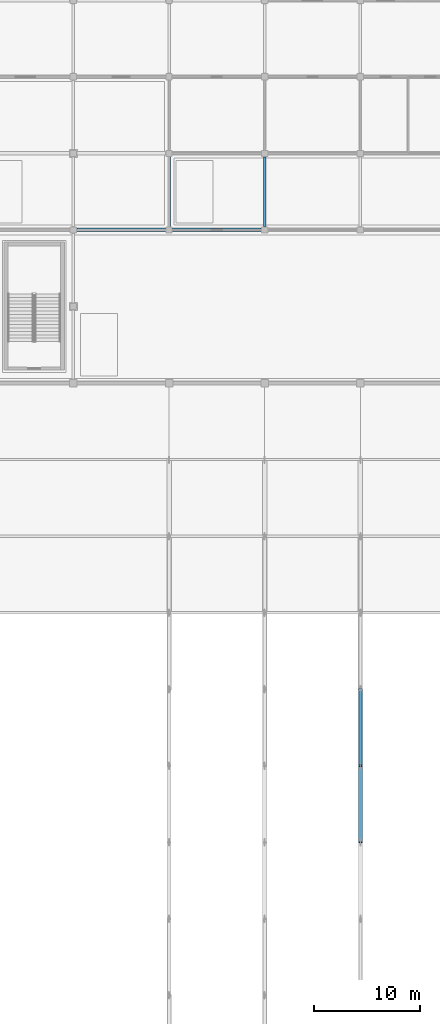
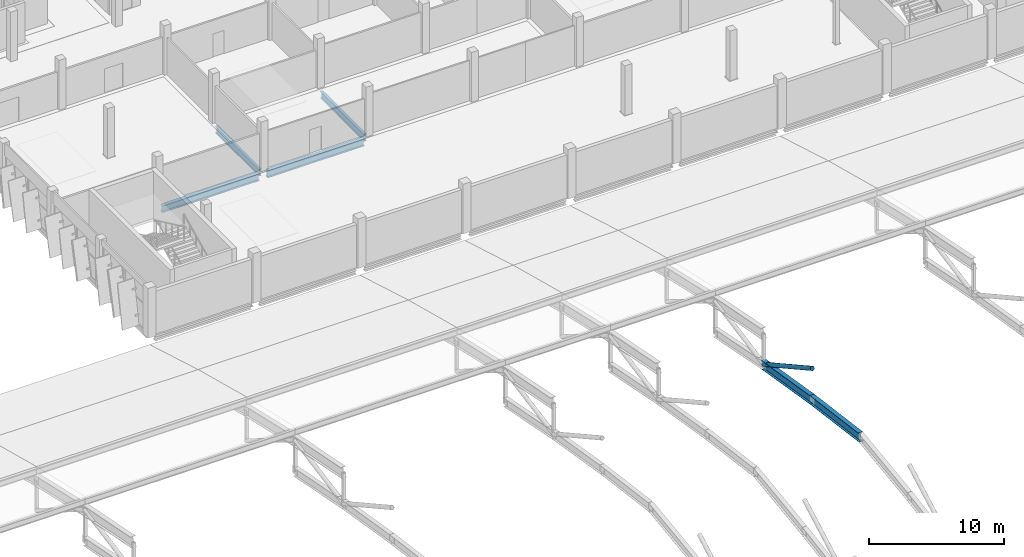
# One storey, part 31 of 124: 4 beams, 3 members.
"""IFC4 building model written with IfcOpenShell, lengths in metres."""

from ifc_helpers import new_model, si_unit, direction, frame, origin, origin_2d, place, context, subcontext, project, spatial, hollow_circle, i_section, extrude, material, material_profile, profile_set, type_object, element, save


model = new_model("IFC4")

# Units and contexts
model_context = context("Model", 3, precision=1e-05, world=origin(), true_north=direction((0.0, 1.0)))
body_context = subcontext(model_context, "Body", "Model", "MODEL_VIEW")
ifc_project = project(units=[si_unit("LENGTHUNIT", "METRE"), si_unit("AREAUNIT", "SQUARE_METRE"), si_unit("VOLUMEUNIT", "CUBIC_METRE"), si_unit("PLANEANGLEUNIT", "RADIAN"), si_unit("MASSUNIT", "GRAM", prefix="KILO")], contexts=[model_context])

# Site, building, storey
site_placement = place(None, origin())
site = spatial("IfcSite", under=ifc_project, at=site_placement, CompositionType="ELEMENT")
building_placement = place(site_placement, origin())
building = spatial("IfcBuilding", under=site, at=building_placement, Name="Celestram Park Convention Centre", CompositionType="ELEMENT")
storey_placement = place(building_placement, frame((0.0, 0.0, 15.300048828125)))
storey = spatial("IfcBuildingStorey", under=building, at=storey_placement, Name="L03", CompositionType="ELEMENT", Elevation=15.300048828125)

# Beams
ifc_material_1 = material(Name="Steel ASTM A992 Grade 50", Category="steel")
ifc_material_profile_1 = material_profile(ifc_material_1, i_section(OverallWidth=0.327880859375, OverallDepth=0.6220703125, WebThickness=0.015380859375, FlangeThickness=0.0244140625, at=origin_2d()), Name="W24X131")
ifc_profile_set_1 = profile_set([ifc_material_profile_1], Name="Steel ASTM A992 Grade 50")
beam_type_1 = type_object("IfcBeamType", Name="STR-BM-W24X131", PredefinedType="BEAM", material=ifc_profile_set_1)
for number, where, z_axis, x_axis, name in (
    (1, (45.347900390625, 122.39990234375, -0.56103515625), (1.0, 0.0, 0.0), (0.0, 1.0, 0.0), "Primary X-girder BG-L03-0018"),
    (2, (54.347900390625, 122.39990234375, -0.56103515625), (1.0, 0.0, 0.0), (0.0, 1.0, 0.0), "Primary X-girder BG-L03-0032"),
):
    element("IfcBeam", number, at=place(storey_placement, frame(where, z_axis=z_axis, x_axis=x_axis)), inside=storey, type_object=beam_type_1, Name=name, PredefinedType="BEAM", context=body_context, shape_type="SweptSolid", body=[
        extrude(i_section(OverallWidth=0.327880859375, OverallDepth=0.6220703125, WebThickness=0.015380859375, FlangeThickness=0.0244140625, at=origin_2d()), origin(), (0.0, 0.0, 1.0), 8.30419921875),
    ])
ifc_material_profile_2 = material_profile(ifc_material_1, i_section(OverallWidth=0.22900390625, OverallDepth=0.612060546875, WebThickness=0.011962890625, FlangeThickness=0.01953125, at=origin_2d()), Name="W24X84")
ifc_profile_set_2 = profile_set([ifc_material_profile_2], Name="Steel ASTM A992 Grade 50")
beam_type_2 = type_object("IfcBeamType", Name="STR-BM-W24X84", PredefinedType="BEAM", material=ifc_profile_set_2)
for number, where, z_axis, x_axis, name in (
    (3, (54.0, 122.748046875, -0.55615234375), (0.0, 1.0, 0.0), (-1.0, 0.0, 0.0), "Primary Y-girder BG-L03-0033"),
    (4, (63.0, 122.748046875, -0.55615234375), (0.0, 1.0, 0.0), (-1.0, 0.0, 0.0), "Primary Y-girder BG-L03-0047"),
):
    element("IfcBeam", number, at=place(storey_placement, frame(where, z_axis=z_axis, x_axis=x_axis)), inside=storey, type_object=beam_type_2, Name=name, PredefinedType="BEAM", context=body_context, shape_type="SweptSolid", body=[
        extrude(i_section(OverallWidth=0.22900390625, OverallDepth=0.612060546875, WebThickness=0.011962890625, FlangeThickness=0.01953125, at=origin_2d()), origin(), (0.0, 0.0, 1.0), 6.50390625),
    ])

# Members
ifc_material_2 = material(Name="Steel ASTM A500 Grade C", Category="steel")
ifc_material_profile_3 = material_profile(ifc_material_2, hollow_circle(Radius=0.177978515625, WallThickness=0.011962890625, at=origin_2d()), Name="CHS356X12")
ifc_profile_set_3 = profile_set([ifc_material_profile_3], Name="Steel ASTM A500 Grade C")
member_type_1 = type_object("IfcMemberType", Name="STR-BRC-CHS356", PredefinedType="BRACE", material=ifc_profile_set_3)
member_1_placement = place(storey_placement, frame((72.0, 72.0, 6.170166015625), z_axis=(0.0, 0.87474706166, -0.484579795407), x_axis=(-1.0, 0.0, 0.0)))
element("IfcMember", 5, at=member_1_placement, inside=storey, type_object=member_type_1, Name="V1 arch web diagonal", PredefinedType="BRACE", context=body_context, shape_type="SweptSolid", body=[
    extrude(hollow_circle(Radius=0.177978515625, WallThickness=0.011962890625, at=origin_2d()), origin(), (0.0, 0.0, 1.0), 8.23095703125),
])
ifc_material_profile_4 = material_profile(ifc_material_1, i_section(OverallWidth=0.381103515625, OverallDepth=0.77197265625, WebThickness=0.0166015625, FlangeThickness=0.027099609375, at=origin_2d()), Name="W30X173")
ifc_profile_set_4 = profile_set([ifc_material_profile_4], Name="Steel ASTM A992 Grade 50")
member_type_2 = type_object("IfcMemberType", Name="STR-CHD-W30X173", PredefinedType="CHORD", material=ifc_profile_set_4)
member_2_placement = place(storey_placement, frame((72.0, 64.800048828125, 4.328369140625), z_axis=(0.0, 0.991259283276, -0.131928136952), x_axis=(-1.0, 0.0, 0.0)))
element("IfcMember", 6, at=member_2_placement, inside=storey, type_object=member_type_2, Name="V1 arch bottom chord", PredefinedType="CHORD", context=body_context, shape_type="SweptSolid", body=[
    extrude(i_section(OverallWidth=0.381103515625, OverallDepth=0.77197265625, WebThickness=0.0166015625, FlangeThickness=0.027099609375, at=origin_2d()), origin(), (0.0, 0.0, 1.0), 7.263427734375),
])
member_3_placement = place(storey_placement, frame((72.0, 72.0, 3.3701171875), z_axis=(0.0, 0.986648621514, -0.162863432557), x_axis=(-1.0, 0.0, 0.0)))
element("IfcMember", 7, at=member_3_placement, inside=storey, type_object=member_type_2, Name="V1 arch bottom chord", PredefinedType="CHORD", context=body_context, shape_type="SweptSolid", body=[
    extrude(i_section(OverallWidth=0.381103515625, OverallDepth=0.77197265625, WebThickness=0.0166015625, FlangeThickness=0.027099609375, at=origin_2d()), origin(), (0.0, 0.0, 1.0), 7.29736328125),
])

save(model, "model.ifc")
